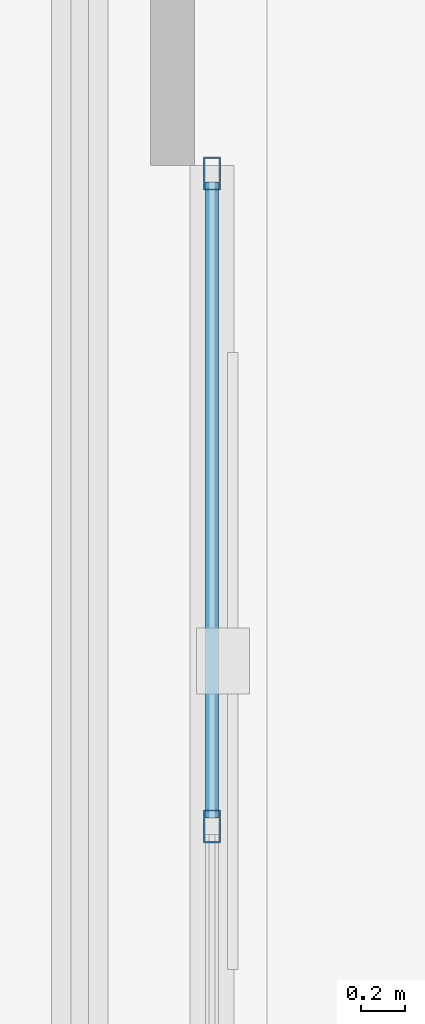
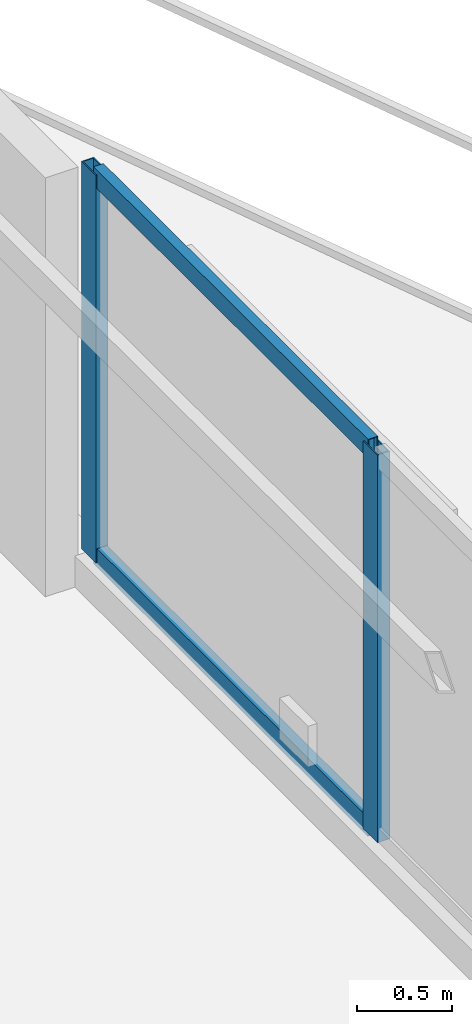
# One storey, part 13 of 22: 4 members, 1 element without a shape of its own.
"""IFC4 building model written with IfcOpenShell, lengths in metres."""

import ifcopenshell
import ifcopenshell.guid

model = None  # the IFC model being written
_history = None  # IfcOwnerHistory: only IFC2X3 demands one
_inside = {}  # id of a spatial element -> (the spatial element, [elements in it])
_under = {}  # id of a project, library or spatial element -> (it, [spatial elements below it])
_declared = {}  # id of a project -> (the project, [libraries it declares])
_typed = {}  # id of a type object -> (the type object, [elements of that type])
_made_of = {}  # id of a material, layer set ... -> (it, [elements and type objects made of it])


def new_model(schema):
    """Start an empty IFC model of exactly this schema.

    Asked for "IFC4X3", IfcOpenShell would pick the latest addendum, in which some entities
    have other attributes; the version numbers below select the first issue.
    IFC2X3 requires an IfcOwnerHistory on every rooted entity: one is made here for all.
    """
    global model, _history
    if schema == "IFC4X3":
        model = ifcopenshell.file(schema_version=(4, 3, 0, 0))
    else:
        model = ifcopenshell.file(schema=schema)
    _inside.clear()
    _under.clear()
    _declared.clear()
    _typed.clear()
    _made_of.clear()
    _history = None
    if model.schema == "IFC2X3":
        org = make("IfcOrganization", Name="unknown")
        user = make(
            "IfcPersonAndOrganization",
            ThePerson=make("IfcPerson", FamilyName="unknown"),
            TheOrganization=org,
        )
        app = make(
            "IfcApplication",
            ApplicationDeveloper=org,
            Version="unknown",
            ApplicationFullName="unknown",
            ApplicationIdentifier="unknown",
        )
        _history = make(
            "IfcOwnerHistory",
            OwningUser=user,
            OwningApplication=app,
            ChangeAction="ADDED",
            CreationDate=0,
        )
    return model


def make(cls, **values):
    """One entity of the class cls with the attributes given. An attribute that is None is left unset."""
    return model.create_entity(
        cls, **{name: value for name, value in values.items() if value is not None}
    )


def rooted(cls, **values):
    """An entity with a GlobalId (a new one), such as an element, a storey or a relation."""
    return make(cls, GlobalId=ifcopenshell.guid.new(), OwnerHistory=_history, **values)


def si_unit(unit_type, name, prefix=None):
    """IfcSIUnit, for example si_unit("LENGTHUNIT", "METRE", prefix="MILLI")."""
    return make("IfcSIUnit", UnitType=unit_type, Prefix=prefix, Name=name)


def assignment(units):
    """IfcUnitAssignment: the units of a project."""
    return None if units is None else make("IfcUnitAssignment", Units=units)


def point(xyz):
    """IfcCartesianPoint."""
    return None if xyz is None else make("IfcCartesianPoint", Coordinates=xyz)


def direction(xyz):
    """IfcDirection."""
    return None if xyz is None else make("IfcDirection", DirectionRatios=xyz)


def frame(location, z_axis=None, x_axis=None):
    """IfcAxis2Placement3D, a coordinate frame: its origin and axes. An axis left out is left unset."""
    return make(
        "IfcAxis2Placement3D",
        Location=point(location),
        Axis=direction(z_axis),
        RefDirection=direction(x_axis),
    )


def frame_2d(location, x_axis=None):
    """IfcAxis2Placement2D, a coordinate frame in the plane: its origin and x axis."""
    return make(
        "IfcAxis2Placement2D", Location=point(location), RefDirection=direction(x_axis)
    )


def origin():
    """The frame at (0, 0, 0) with its axes left unset."""
    return frame((0.0, 0.0, 0.0))


def origin_2d():
    """The frame at (0, 0) in the plane with its x axis left unset."""
    return frame_2d((0.0, 0.0))


def place(relative_to, where):
    """IfcLocalPlacement: puts the frame where relative to a parent placement (None: the world)."""
    return make(
        "IfcLocalPlacement", PlacementRelTo=relative_to, RelativePlacement=where
    )


def context(
    kind, dimensions, precision=None, world=None, true_north=None, identifier=None
):
    """IfcGeometricRepresentationContext, for example the 3D "Model" context."""
    return make(
        "IfcGeometricRepresentationContext",
        ContextIdentifier=identifier,
        ContextType=kind,
        CoordinateSpaceDimension=dimensions,
        Precision=precision,
        WorldCoordinateSystem=world,
        TrueNorth=true_north,
    )


def subcontext(parent, identifier, kind, view, scale=None):
    """IfcGeometricRepresentationSubContext, for example "Body" below "Model"."""
    return make(
        "IfcGeometricRepresentationSubContext",
        ContextIdentifier=identifier,
        ContextType=kind,
        ParentContext=parent,
        TargetScale=scale,
        TargetView=view,
    )


def project(units=None, contexts=None):
    """IfcProject with its units and contexts."""
    return rooted(
        "IfcProject",
        Name="project",
        RepresentationContexts=contexts,
        UnitsInContext=assignment(units),
    )


def spatial(cls, under=None, at=None, **own):
    """A site, building, storey or space (cls), placed at a placement, below another one or the project."""
    s = rooted(cls, ObjectPlacement=at, **own)
    if under is not None:
        _under.setdefault(under.id(), (under, []))[1].append(s)
    return s


def profile(cls, at=None, kind="AREA", **sizes):
    """A parametric profile (cls). Its sizes go by their IFC names, for example OverallWidth=200.0."""
    return make(cls, ProfileType=kind, Position=at, **sizes)


def hollow_rectangle(**sizes):
    """IfcRectangleHollowProfileDef."""
    return profile("IfcRectangleHollowProfileDef", **sizes)


def extrude(swept, where, along, depth):
    """IfcExtrudedAreaSolid: the profile swept, set in the frame where, extruded along a direction by depth."""
    return make(
        "IfcExtrudedAreaSolid",
        SweptArea=swept,
        Position=where,
        ExtrudedDirection=direction(along),
        Depth=depth,
    )


def shape(context_of_items, identifier, shape_type, items):
    """IfcShapeRepresentation: the items that make up one representation, for example the "Body"."""
    return make(
        "IfcShapeRepresentation",
        ContextOfItems=context_of_items,
        RepresentationIdentifier=identifier,
        RepresentationType=shape_type,
        Items=items,
    )


def material(Name=None, Category=None):
    """IfcMaterial."""
    return make("IfcMaterial", Name=Name, Category=Category)


def layer(
    of_material, thickness, ventilated=None, Name=None, Category=None, Priority=None
):
    """IfcMaterialLayer: one layer of a wall or slab, of a material (None: an air gap)."""
    return make(
        "IfcMaterialLayer",
        Material=of_material,
        LayerThickness=thickness,
        IsVentilated=ventilated,
        Name=Name,
        Category=Category,
        Priority=Priority,
    )


def layer_set(layers, Name=None):
    """IfcMaterialLayerSet."""
    return make("IfcMaterialLayerSet", MaterialLayers=layers, LayerSetName=Name)


def material_profile(
    of_material, cross_section, Name=None, Category=None, Priority=None
):
    """IfcMaterialProfile: a cross section and its material."""
    return make(
        "IfcMaterialProfile",
        Name=Name,
        Material=of_material,
        Profile=cross_section,
        Priority=Priority,
        Category=Category,
    )


def profile_set(profiles, Name=None, composite=None):
    """IfcMaterialProfileSet."""
    return make(
        "IfcMaterialProfileSet",
        Name=Name,
        MaterialProfiles=profiles,
        CompositeProfile=composite,
    )


def made_of(thing, what):
    """Note that an element or type object is made of a material, layer set ...; save() writes the relation."""
    if what is not None:
        _made_of.setdefault(what.id(), (what, []))[1].append(thing)
    return thing


def type_object(cls, material=None, **own):
    """A type object (cls), such as IfcWallType, which elements share."""
    return made_of(rooted(cls, **own), material)


def element(
    cls,
    number,
    at=None,
    inside=None,
    cuts=None,
    type_object=None,
    material=None,
    context=None,
    identifier="Body",
    shape_type=None,
    held_by="IfcProductDefinitionShape",
    body=None,
    shapes=None,
    **own,
):
    """One element of the class cls, such as IfcWall. Its Tag is "e" and its number.

    at: its placement. inside: the storey or other place that contains it. cuts: it is an
    opening in that element (IfcRelVoidsElement). A single representation is given by context,
    identifier, shape_type and body (its items); several are given by shapes. held_by: the class
    of the entity that holds the representations. save() writes the other relations.
    """
    e = rooted(cls, Tag="e%d" % number, ObjectPlacement=at, **own)
    if body is not None:
        shapes = [shape(context, identifier, shape_type, body)]
    if shapes is not None:
        e.Representation = make(held_by, Representations=shapes)
    if inside is not None:
        _inside.setdefault(inside.id(), (inside, []))[1].append(e)
    if cuts is not None:
        rooted(
            "IfcRelVoidsElement", RelatingBuildingElement=cuts, RelatedOpeningElement=e
        )
    if type_object is not None:
        _typed.setdefault(type_object.id(), (type_object, []))[1].append(e)
    return made_of(e, material)


def aggregate(whole, parts):
    """IfcRelAggregates: a whole, such as a stair, and the parts it consists of."""
    return rooted("IfcRelAggregates", RelatingObject=whole, RelatedObjects=parts)


def save(model, path):
    """Write the relations noted so far, then the file.

    IfcRelAggregates (storeys below a building ...), IfcRelContainedInSpatialStructure (elements
    in a storey), IfcRelDefinesByType, IfcRelAssociatesMaterial and IfcRelDeclares: one each for
    every whole, place, type object, material and project.
    """
    for whole, parts in _under.values():
        aggregate(whole, parts)
    for where, things in _inside.values():
        rooted(
            "IfcRelContainedInSpatialStructure",
            RelatedElements=things,
            RelatingStructure=where,
        )
    for kind, things in _typed.values():
        rooted("IfcRelDefinesByType", RelatedObjects=things, RelatingType=kind)
    for what, things in _made_of.values():
        rooted("IfcRelAssociatesMaterial", RelatedObjects=things, RelatingMaterial=what)
    for by, libraries in _declared.values():
        rooted("IfcRelDeclares", RelatingContext=by, RelatedDefinitions=libraries)
    model.write(path)


model = new_model("IFC4")

# Units and contexts
model_context = context("Model", 3, precision=1e-05, world=origin(), true_north=direction((0.0, 1.0)))
body_context = subcontext(model_context, "Body", "Model", "MODEL_VIEW")
ifc_project = project(units=[si_unit("LENGTHUNIT", "METRE"), si_unit("AREAUNIT", "SQUARE_METRE"), si_unit("VOLUMEUNIT", "CUBIC_METRE"), si_unit("PLANEANGLEUNIT", "RADIAN"), si_unit("MASSUNIT", "GRAM", prefix="KILO")], contexts=[model_context])

# Site, building, storey
site_placement = place(None, origin())
site = spatial("IfcSite", under=ifc_project, at=site_placement, CompositionType="ELEMENT")
building_placement = place(site_placement, origin())
building = spatial("IfcBuilding", under=site, at=building_placement, Name="Mersakhor Tower and Convention Hall", CompositionType="ELEMENT")
storey_placement = place(building_placement, frame((0.0, 0.0, 208.5)))
storey = spatial("IfcBuildingStorey", under=building, at=storey_placement, Name="L58", CompositionType="ELEMENT", Elevation=208.5)

# Curtain wall, members
ifc_material_1 = material(Name="Dark solar low-E aluminium curtain wall", Category="aluminium")
ifc_layer = layer(ifc_material_1, 0.169921875)
ifc_layer_set = layer_set([ifc_layer], Name="Dark solar low-E aluminium curtain wall")
curtain_wall_type = type_object("IfcCurtainWallType", Name="CW-SYS-02", PredefinedType="USERDEFINED", material=ifc_layer_set)
curtain_wall_placement = place(storey_placement, origin())
curtain_wall = element("IfcCurtainWall", 1, at=curtain_wall_placement, inside=storey, type_object=curtain_wall_type, Name="L58 Dark-Glass Curtain Wall F2-B2", ObjectType="CURTAIN WALL", PredefinedType="USERDEFINED")
ifc_material_2 = material(Name="Anodised aluminium EN AW-6063 T6", Category="aluminium")
ifc_material_profile_1 = material_profile(ifc_material_2, hollow_rectangle(XDim=0.074951171875, YDim=0.14990234375, WallThickness=0.00634765625, at=origin_2d()), Name="RHS 150x75x6.3")
ifc_profile_set_1 = profile_set([ifc_material_profile_1], Name="Anodised aluminium EN AW-6063 T6")
member_type_1 = type_object("IfcMemberType", Name="CWM-150x75", PredefinedType="MULLION", material=ifc_profile_set_1)
member_1_placement = place(storey_placement, frame((40.58837890625, 31.2119140625, 0.199951171875), z_axis=(0.0, 0.0, 1.0), x_axis=(1.0, 0.0, 0.0)))
member_1 = element("IfcMember", 2, at=member_1_placement, type_object=member_type_1, Name="CW-02 mullion 1", PredefinedType="MULLION", context=body_context, shape_type="SweptSolid", body=[
    extrude(hollow_rectangle(XDim=0.074951171875, YDim=0.14990234375, WallThickness=0.00634765625, at=origin_2d()), origin(), (0.0, 0.0, 1.0), 2.489990234375),
])
member_2_placement = place(storey_placement, frame((40.58837890625, 28.249755859375, 0.199951171875), z_axis=(0.0, 0.0, 1.0), x_axis=(1.0, 0.0, 0.0)))
member_2 = element("IfcMember", 3, at=member_2_placement, type_object=member_type_1, Name="CW-02 mullion 2", PredefinedType="MULLION", context=body_context, shape_type="SweptSolid", body=[
    extrude(hollow_rectangle(XDim=0.074951171875, YDim=0.14990234375, WallThickness=0.00634765625, at=origin_2d()), origin(), (0.0, 0.0, 1.0), 2.489990234375),
])
ifc_material_3 = material(Name="Anodised aluminium EN AW-6063 T6", Category="aluminium")
ifc_material_profile_2 = material_profile(ifc_material_3, hollow_rectangle(XDim=0.06005859375, YDim=0.1201171875, WallThickness=0.0048828125, at=origin_2d()), Name="RHS 120x60x5")
ifc_profile_set_2 = profile_set([ifc_material_profile_2], Name="Anodised aluminium EN AW-6063 T6")
member_type_2 = type_object("IfcMemberType", Name="CWT-120x60", PredefinedType="USERDEFINED", material=ifc_profile_set_2)
member_3_placement = place(storey_placement, frame((40.58837890625, 31.174560546875, 0.22998046875), z_axis=(0.0, -1.0, 0.0), x_axis=(1.0, 0.0, 0.0)))
member_3 = element("IfcMember", 4, at=member_3_placement, type_object=member_type_2, Name="CW-02 transom 1.1", ObjectType="TRANSOM", PredefinedType="USERDEFINED", context=body_context, shape_type="SweptSolid", body=[
    extrude(hollow_rectangle(XDim=0.06005859375, YDim=0.1201171875, WallThickness=0.0048828125, at=origin_2d()), origin(), (0.0, 0.0, 1.0), 2.88720703125),
])
member_4_placement = place(storey_placement, frame((40.58837890625, 31.174560546875, 2.659912109375), z_axis=(0.0, -1.0, 0.0), x_axis=(1.0, 0.0, 0.0)))
member_4 = element("IfcMember", 5, at=member_4_placement, type_object=member_type_2, Name="CW-02 transom 1.2", ObjectType="TRANSOM", PredefinedType="USERDEFINED", context=body_context, shape_type="SweptSolid", body=[
    extrude(hollow_rectangle(XDim=0.06005859375, YDim=0.1201171875, WallThickness=0.0048828125, at=origin_2d()), origin(), (0.0, 0.0, 1.0), 2.88720703125),
])
aggregate(curtain_wall, [member_1, member_2, member_3, member_4])

save(model, "model.ifc")
